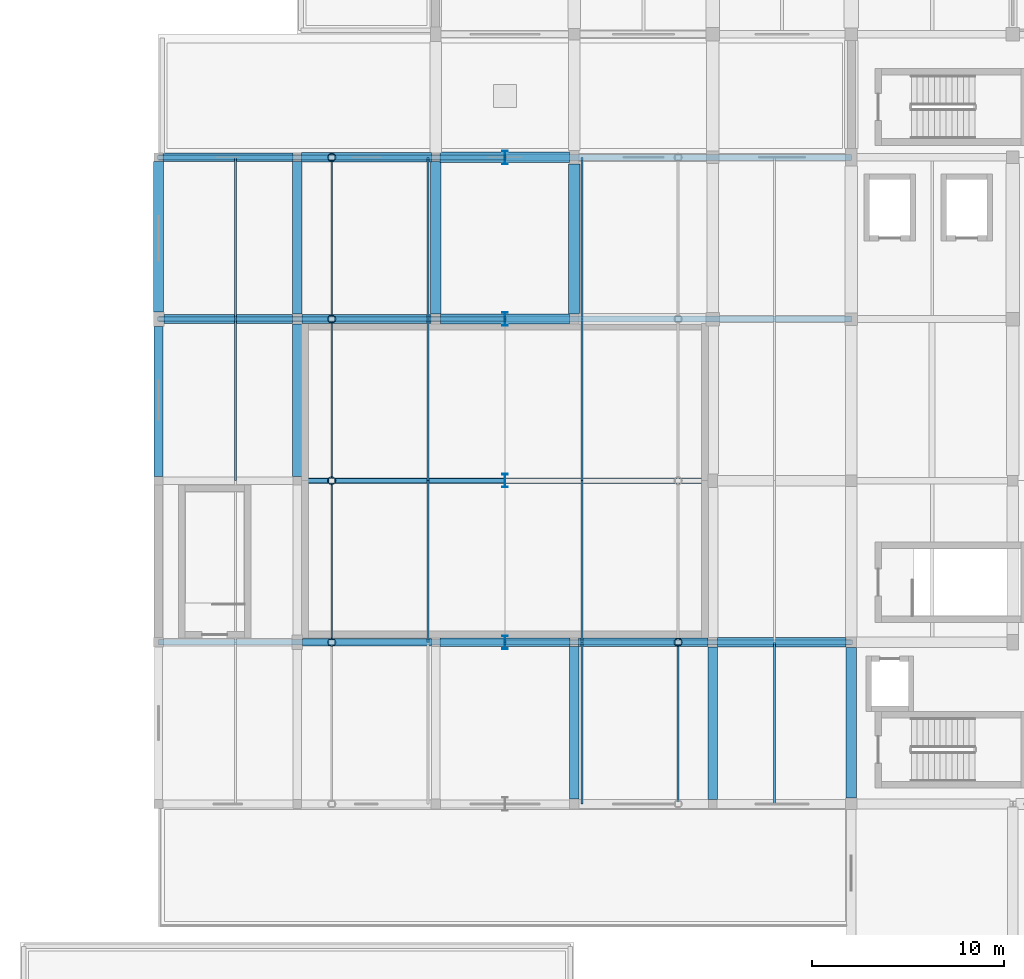
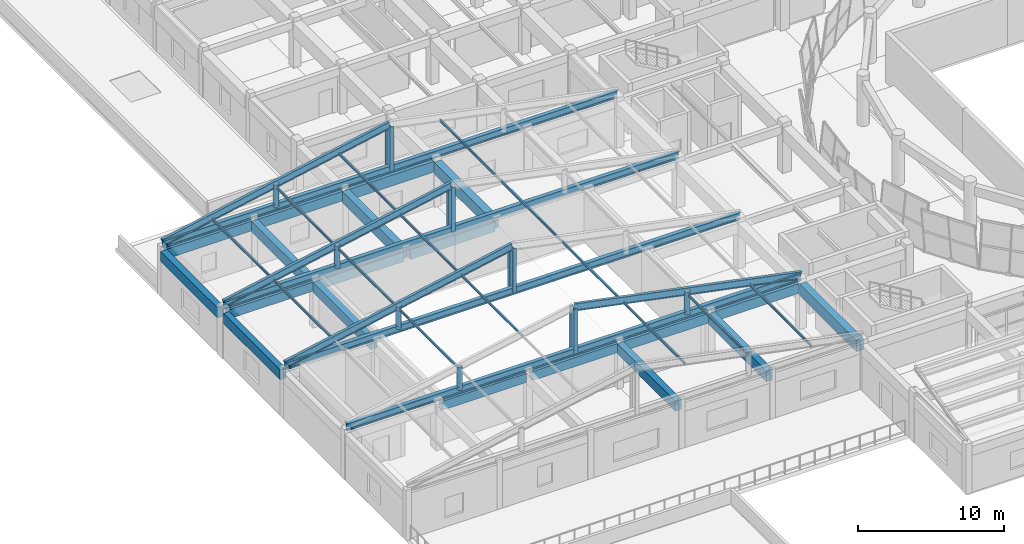
# One storey, part 11 of 74: 31 members, 19 beams.
"""IFC4 building model written with IfcOpenShell, lengths in metres."""

from ifc_helpers import new_model, si_unit, direction, frame, origin, origin_2d, place, context, subcontext, project, spatial, rectangle, hollow_circle, i_section, extrude, material, material_profile, profile_set, type_object, element, save


model = new_model("IFC4")

# Units and contexts
model_context = context("Model", 3, precision=1e-05, world=origin(), true_north=direction((0.0, 1.0)))
body_context = subcontext(model_context, "Body", "Model", "MODEL_VIEW")
ifc_project = project(units=[si_unit("LENGTHUNIT", "METRE"), si_unit("AREAUNIT", "SQUARE_METRE"), si_unit("VOLUMEUNIT", "CUBIC_METRE"), si_unit("PLANEANGLEUNIT", "RADIAN"), si_unit("MASSUNIT", "GRAM", prefix="KILO")], contexts=[model_context])

# Site, building, storey
site_placement = place(None, origin())
site = spatial("IfcSite", under=ifc_project, at=site_placement, CompositionType="ELEMENT")
building_placement = place(site_placement, origin())
building = spatial("IfcBuilding", under=site, at=building_placement, Name="Korsvaeld Concert Hall", CompositionType="ELEMENT")
storey_placement = place(building_placement, frame((0.0, 0.0, 9.0)))
storey = spatial("IfcBuildingStorey", under=building, at=storey_placement, Name="L02", CompositionType="ELEMENT", Elevation=9.0)

# Beams
ifc_material_1 = material(Name="Concrete C35/45", Category="concrete")
ifc_material_profile_1 = material_profile(ifc_material_1, rectangle(XDim=0.39990234375, YDim=0.75, at=origin_2d()), Name="RC 400x750")
ifc_profile_set_1 = profile_set([ifc_material_profile_1], Name="Concrete C35/45")
beam_type_1 = type_object("IfcBeamType", Name="BM-RC-400x750", PredefinedType="T_BEAM", material=ifc_profile_set_1)
beam_1_placement = place(storey_placement, frame((21.875, 51.60009765625, 3.465087890625), z_axis=(1.0, 0.0, 0.0), x_axis=(0.0, 1.0, 0.0)))
element("IfcBeam", 1, at=beam_1_placement, inside=storey, type_object=beam_type_1, Name="Primary girder 4-5/H L02", PredefinedType="T_BEAM", context=body_context, shape_type="SweptSolid", body=[
    extrude(rectangle(XDim=0.39990234375, YDim=0.75, at=origin_2d()), origin(), (0.0, 0.0, 1.0), 6.699951171875),
])
ifc_material_profile_2 = material_profile(ifc_material_1, rectangle(XDim=0.449951171875, YDim=0.75, at=origin_2d()), Name="RC 450x750")
ifc_profile_set_2 = profile_set([ifc_material_profile_2], Name="Concrete C35/45")
beam_type_2 = type_object("IfcBeamType", Name="BM-RC-450x750", PredefinedType="T_BEAM", material=ifc_profile_set_2)
beam_2_placement = place(storey_placement, frame((29.02490234375, 51.60009765625, 3.465087890625), z_axis=(1.0, 0.0, 0.0), x_axis=(0.0, 1.0, 0.0)))
element("IfcBeam", 2, at=beam_2_placement, inside=storey, type_object=beam_type_2, Name="Primary girder 5-6/H L02", PredefinedType="T_BEAM", context=body_context, shape_type="SweptSolid", body=[
    extrude(rectangle(XDim=0.449951171875, YDim=0.75, at=origin_2d()), origin(), (0.0, 0.0, 1.0), 6.75),
])
beam_3_placement = place(storey_placement, frame((14.675048828125, 68.39990234375, 3.465087890625), z_axis=(1.0, 0.0, 0.0), x_axis=(0.0, 1.0, 0.0)))
element("IfcBeam", 3, at=beam_3_placement, inside=storey, type_object=beam_type_2, Name="Primary girder 3-4/K L02", PredefinedType="T_BEAM", context=body_context, shape_type="SweptSolid", body=[
    extrude(rectangle(XDim=0.449951171875, YDim=0.75, at=origin_2d()), origin(), (0.0, 0.0, 1.0), 6.675048828125),
])
ifc_material_profile_3 = material_profile(ifc_material_1, rectangle(XDim=0.449951171875, YDim=0.800048828125, at=origin_2d()), Name="RC 450x800")
ifc_profile_set_3 = profile_set([ifc_material_profile_3], Name="Concrete C35/45")
beam_type_3 = type_object("IfcBeamType", Name="BM-RC-450x800", PredefinedType="T_BEAM", material=ifc_profile_set_3)
beam_4_placement = place(storey_placement, frame((36.22509765625, 51.60009765625, 3.43994140625), z_axis=(1.0, 0.0, 0.0), x_axis=(0.0, 1.0, 0.0)))
element("IfcBeam", 4, at=beam_4_placement, inside=storey, type_object=beam_type_3, Name="Primary girder 6-7/H L02", PredefinedType="T_BEAM", context=body_context, shape_type="SweptSolid", body=[
    extrude(rectangle(XDim=0.449951171875, YDim=0.800048828125, at=origin_2d()), origin(), (0.0, 0.0, 1.0), 6.724853515625),
])
beam_5_placement = place(storey_placement, frame((21.85009765625, 68.39990234375, 3.43994140625), z_axis=(1.0, 0.0, 0.0), x_axis=(0.0, 1.0, 0.0)))
element("IfcBeam", 5, at=beam_5_placement, inside=storey, type_object=beam_type_3, Name="Primary girder 4-5/K L02", PredefinedType="T_BEAM", context=body_context, shape_type="SweptSolid", body=[
    extrude(rectangle(XDim=0.449951171875, YDim=0.800048828125, at=origin_2d()), origin(), (0.0, 0.0, 1.0), 6.699951171875),
])
beam_6_placement = place(storey_placement, frame((14.625, 76.800048828125, 3.43994140625), z_axis=(1.0, 0.0, 0.0), x_axis=(0.0, 1.0, 0.0)))
element("IfcBeam", 6, at=beam_6_placement, inside=storey, type_object=beam_type_3, Name="Primary girder 3-4/L L02", PredefinedType="T_BEAM", context=body_context, shape_type="SweptSolid", body=[
    extrude(rectangle(XDim=0.449951171875, YDim=0.800048828125, at=origin_2d()), origin(), (0.0, 0.0, 1.0), 6.75),
])
ifc_material_2 = material(Name="Concrete C40/50", Category="concrete")
ifc_material_profile_4 = material_profile(ifc_material_2, rectangle(XDim=0.449951171875, YDim=0.85009765625, at=origin_2d()), Name="RC 450x850")
ifc_profile_set_4 = profile_set([ifc_material_profile_4], Name="Concrete C40/50")
beam_type_4 = type_object("IfcBeamType", Name="BM-RC-450x850", PredefinedType="T_BEAM", material=ifc_profile_set_4)
beam_7_placement = place(storey_placement, frame((14.39990234375, 60.22509765625, 3.4150390625), z_axis=(0.0, 1.0, 0.0), x_axis=(-1.0, 0.0, 0.0)))
element("IfcBeam", 7, at=beam_7_placement, inside=storey, type_object=beam_type_4, Name="Primary girder 3/J-K L02", PredefinedType="T_BEAM", context=body_context, shape_type="SweptSolid", body=[
    extrude(rectangle(XDim=0.449951171875, YDim=0.85009765625, at=origin_2d()), origin(), (0.0, 0.0, 1.0), 7.7998046875),
])
ifc_material_profile_5 = material_profile(ifc_material_2, rectangle(XDim=0.5, YDim=0.800048828125, at=origin_2d()), Name="RC 500x800")
ifc_profile_set_5 = profile_set([ifc_material_profile_5], Name="Concrete C40/50")
beam_type_5 = type_object("IfcBeamType", Name="BM-RC-500x800", PredefinedType="T_BEAM", material=ifc_profile_set_5)
beam_8_placement = place(storey_placement, frame((43.449951171875, 51.60009765625, 3.43994140625), z_axis=(1.0, 0.0, 0.0), x_axis=(0.0, 1.0, 0.0)))
element("IfcBeam", 8, at=beam_8_placement, inside=storey, type_object=beam_type_5, Name="Primary girder 7-8/H L02", PredefinedType="T_BEAM", context=body_context, shape_type="SweptSolid", body=[
    extrude(rectangle(XDim=0.5, YDim=0.800048828125, at=origin_2d()), origin(), (0.0, 0.0, 1.0), 6.675048828125),
])
beam_9_placement = place(storey_placement, frame((29.050048828125, 68.39990234375, 3.43994140625), z_axis=(1.0, 0.0, 0.0), x_axis=(0.0, 1.0, 0.0)))
element("IfcBeam", 9, at=beam_9_placement, inside=storey, type_object=beam_type_5, Name="Primary girder 5-6/K L02", PredefinedType="T_BEAM", context=body_context, shape_type="SweptSolid", body=[
    extrude(rectangle(XDim=0.5, YDim=0.800048828125, at=origin_2d()), origin(), (0.0, 0.0, 1.0), 6.699951171875),
])
beam_10_placement = place(storey_placement, frame((21.824951171875, 76.800048828125, 3.43994140625), z_axis=(1.0, 0.0, 0.0), x_axis=(0.0, 1.0, 0.0)))
element("IfcBeam", 10, at=beam_10_placement, inside=storey, type_object=beam_type_5, Name="Primary girder 4-5/L L02", PredefinedType="T_BEAM", context=body_context, shape_type="SweptSolid", body=[
    extrude(rectangle(XDim=0.5, YDim=0.800048828125, at=origin_2d()), origin(), (0.0, 0.0, 1.0), 6.75),
])
ifc_material_profile_6 = material_profile(ifc_material_2, rectangle(XDim=0.5, YDim=0.85009765625, at=origin_2d()), Name="RC 500x850")
ifc_profile_set_6 = profile_set([ifc_material_profile_6], Name="Concrete C40/50")
beam_type_6 = type_object("IfcBeamType", Name="BM-RC-500x850", PredefinedType="T_BEAM", material=ifc_profile_set_6)
beam_11_placement = place(storey_placement, frame((14.39990234375, 68.77490234375, 3.4150390625), z_axis=(0.0, 1.0, 0.0), x_axis=(-1.0, 0.0, 0.0)))
element("IfcBeam", 11, at=beam_11_placement, inside=storey, type_object=beam_type_6, Name="Primary girder 3/K-L L02", PredefinedType="T_BEAM", context=body_context, shape_type="SweptSolid", body=[
    extrude(rectangle(XDim=0.5, YDim=0.85009765625, at=origin_2d()), origin(), (0.0, 0.0, 1.0), 7.800048828125),
])
beam_12_placement = place(storey_placement, frame((21.60009765625, 60.22509765625, 3.4150390625), z_axis=(0.0, 1.0, 0.0), x_axis=(-1.0, 0.0, 0.0)))
element("IfcBeam", 12, at=beam_12_placement, inside=storey, type_object=beam_type_6, Name="Primary girder 4/J-K L02", PredefinedType="T_BEAM", context=body_context, shape_type="SweptSolid", body=[
    extrude(rectangle(XDim=0.5, YDim=0.85009765625, at=origin_2d()), origin(), (0.0, 0.0, 1.0), 7.9248046875),
])
beam_13_placement = place(storey_placement, frame((36.0, 43.449951171875, 3.4150390625), z_axis=(0.0, 1.0, 0.0), x_axis=(-1.0, 0.0, 0.0)))
element("IfcBeam", 13, at=beam_13_placement, inside=storey, type_object=beam_type_6, Name="Primary girder 6/G-H L02", PredefinedType="T_BEAM", context=body_context, shape_type="SweptSolid", body=[
    extrude(rectangle(XDim=0.5, YDim=0.85009765625, at=origin_2d()), origin(), (0.0, 0.0, 1.0), 7.925048828125),
])
ifc_material_profile_7 = material_profile(ifc_material_2, rectangle(XDim=0.5, YDim=0.89990234375, at=origin_2d()), Name="RC 500x900")
ifc_profile_set_7 = profile_set([ifc_material_profile_7], Name="Concrete C40/50")
beam_type_7 = type_object("IfcBeamType", Name="BM-RC-500x900", PredefinedType="T_BEAM", material=ifc_profile_set_7)
for number, where, z_axis, x_axis, name in (
    (14, (21.60009765625, 68.64990234375, 3.389892578125), (0.0, 1.0, 0.0), (-1.0, 0.0, 0.0), "Primary girder 4/K-L L02"),
    (15, (43.199951171875, 43.425048828125, 3.389892578125), (0.0, 1.0, 0.0), (-1.0, 0.0, 0.0), "Primary girder 7/G-H L02"),
):
    element("IfcBeam", number, at=place(storey_placement, frame(where, z_axis=z_axis, x_axis=x_axis)), inside=storey, type_object=beam_type_7, Name=name, PredefinedType="T_BEAM", context=body_context, shape_type="SweptSolid", body=[
        extrude(rectangle(XDim=0.5, YDim=0.89990234375, at=origin_2d()), origin(), (0.0, 0.0, 1.0), 7.925048828125),
    ])
ifc_material_profile_8 = material_profile(ifc_material_2, rectangle(XDim=0.550048828125, YDim=0.89990234375, at=origin_2d()), Name="RC 550x900")
ifc_profile_set_8 = profile_set([ifc_material_profile_8], Name="Concrete C40/50")
beam_type_8 = type_object("IfcBeamType", Name="BM-RC-550x900", PredefinedType="T_BEAM", material=ifc_profile_set_8)
beam_14_placement = place(storey_placement, frame((29.02490234375, 76.800048828125, 3.389892578125), z_axis=(1.0, 0.0, 0.0), x_axis=(0.0, 1.0, 0.0)))
element("IfcBeam", 16, at=beam_14_placement, inside=storey, type_object=beam_type_8, Name="Primary girder 5-6/L L02", PredefinedType="T_BEAM", context=body_context, shape_type="SweptSolid", body=[
    extrude(rectangle(XDim=0.550048828125, YDim=0.89990234375, at=origin_2d()), origin(), (0.0, 0.0, 1.0), 6.72509765625),
])
ifc_material_profile_9 = material_profile(ifc_material_2, rectangle(XDim=0.550048828125, YDim=0.949951171875, at=origin_2d()), Name="RC 550x950")
ifc_profile_set_9 = profile_set([ifc_material_profile_9], Name="Concrete C40/50")
beam_type_9 = type_object("IfcBeamType", Name="BM-RC-550x950", PredefinedType="T_BEAM", material=ifc_profile_set_9)
beam_15_placement = place(storey_placement, frame((28.800048828125, 68.64990234375, 3.364990234375), z_axis=(0.0, 1.0, 0.0), x_axis=(-1.0, 0.0, 0.0)))
element("IfcBeam", 17, at=beam_15_placement, inside=storey, type_object=beam_type_9, Name="Primary girder 5/K-L L02", PredefinedType="T_BEAM", context=body_context, shape_type="SweptSolid", body=[
    extrude(rectangle(XDim=0.550048828125, YDim=0.949951171875, at=origin_2d()), origin(), (0.0, 0.0, 1.0), 7.925048828125),
])
beam_16_placement = place(storey_placement, frame((50.39990234375, 43.5, 3.364990234375), z_axis=(0.0, 1.0, 0.0), x_axis=(-1.0, 0.0, 0.0)))
element("IfcBeam", 18, at=beam_16_placement, inside=storey, type_object=beam_type_9, Name="Primary girder 8/G-H L02", PredefinedType="T_BEAM", context=body_context, shape_type="SweptSolid", body=[
    extrude(rectangle(XDim=0.550048828125, YDim=0.949951171875, at=origin_2d()), origin(), (0.0, 0.0, 1.0), 7.824951171875),
])
ifc_material_profile_10 = material_profile(ifc_material_2, rectangle(XDim=0.60009765625, YDim=0.949951171875, at=origin_2d()), Name="RC 600x950")
ifc_profile_set_10 = profile_set([ifc_material_profile_10], Name="Concrete C40/50")
beam_type_10 = type_object("IfcBeamType", Name="BM-RC-600x950", PredefinedType="T_BEAM", material=ifc_profile_set_10)
beam_17_placement = place(storey_placement, frame((36.0, 68.64990234375, 3.364990234375), z_axis=(0.0, 1.0, 0.0), x_axis=(-1.0, 0.0, 0.0)))
element("IfcBeam", 19, at=beam_17_placement, inside=storey, type_object=beam_type_10, Name="Primary girder 6/K-L L02", PredefinedType="T_BEAM", context=body_context, shape_type="SweptSolid", body=[
    extrude(rectangle(XDim=0.60009765625, YDim=0.949951171875, at=origin_2d()), origin(), (0.0, 0.0, 1.0), 7.800048828125),
])

# Members
ifc_material_3 = material(Name="Steel S355J2", Category="steel")
ifc_material_profile_11 = material_profile(ifc_material_3, i_section(OverallWidth=0.300048828125, OverallDepth=0.60009765625, WebThickness=0.015380859375, FlangeThickness=0.030029296875, FilletRadius=0.027099609375, at=origin_2d()), Name="HEB 600")
ifc_profile_set_11 = profile_set([ifc_material_profile_11], Name="Steel S355J2")
member_type_1 = type_object("IfcMemberType", Name="MEM-CHD-HEB600", PredefinedType="CHORD", material=ifc_profile_set_11)
for number, where, z_axis, x_axis, name in (
    (20, (14.39990234375, 51.60009765625, 4.25), (1.0, 0.0, 0.0), (0.0, 1.0, 0.0), "Orchestra Rehearsal clear-span truss bottom chord 2"),
    (21, (14.39990234375, 60.0, 4.25), (1.0, 0.0, 0.0), (0.0, 1.0, 0.0), "Orchestra Rehearsal clear-span truss bottom chord 3"),
    (22, (14.39990234375, 68.39990234375, 4.25), (1.0, 0.0, 0.0), (0.0, 1.0, 0.0), "Orchestra Rehearsal clear-span truss bottom chord 4"),
    (23, (14.39990234375, 76.800048828125, 4.25), (1.0, 0.0, 0.0), (0.0, 1.0, 0.0), "Orchestra Rehearsal clear-span truss bottom chord 5"),
):
    element("IfcMember", number, at=place(storey_placement, frame(where, z_axis=z_axis, x_axis=x_axis)), inside=storey, type_object=member_type_1, Name=name, PredefinedType="CHORD", context=body_context, shape_type="SweptSolid", body=[
        extrude(i_section(OverallWidth=0.300048828125, OverallDepth=0.60009765625, WebThickness=0.015380859375, FlangeThickness=0.030029296875, FilletRadius=0.027099609375, at=origin_2d()), origin(), (0.0, 0.0, 1.0), 36.0),
    ])
ifc_material_profile_12 = material_profile(ifc_material_3, i_section(OverallWidth=0.300048828125, OverallDepth=0.699951171875, WebThickness=0.01708984375, FlangeThickness=0.031982421875, FilletRadius=0.027099609375, at=origin_2d()), Name="HEB 700")
ifc_profile_set_12 = profile_set([ifc_material_profile_12], Name="Steel S355J2")
member_type_2 = type_object("IfcMemberType", Name="MEM-CHD-HEB700", PredefinedType="CHORD", material=ifc_profile_set_12)
for number, where, z_axis, x_axis, name in (
    (24, (32.39990234375, 51.60009765625, 4.25), (0.0, 0.0, 1.0), (1.0, 0.0, 0.0), "Orchestra Rehearsal truss web 2.32"),
    (25, (32.39990234375, 60.0, 4.25), (0.0, 0.0, 1.0), (1.0, 0.0, 0.0), "Orchestra Rehearsal truss web 3.32"),
    (26, (32.39990234375, 68.39990234375, 4.25), (0.0, 0.0, 1.0), (1.0, 0.0, 0.0), "Orchestra Rehearsal truss web 4.32"),
    (27, (32.39990234375, 76.800048828125, 4.25), (0.0, 0.0, 1.0), (1.0, 0.0, 0.0), "Orchestra Rehearsal truss web 5.32"),
):
    element("IfcMember", number, at=place(storey_placement, frame(where, z_axis=z_axis, x_axis=x_axis)), inside=storey, type_object=member_type_2, Name=name, PredefinedType="CHORD", context=body_context, shape_type="SweptSolid", body=[
        extrude(i_section(OverallWidth=0.300048828125, OverallDepth=0.699951171875, WebThickness=0.01708984375, FlangeThickness=0.031982421875, FilletRadius=0.027099609375, at=origin_2d()), origin(), (0.0, 0.0, 1.0), 3.699951171875),
    ])
ifc_material_profile_13 = material_profile(ifc_material_3, i_section(OverallWidth=0.10009765625, OverallDepth=0.199951171875, WebThickness=0.005615234375, FlangeThickness=0.008544921875, FilletRadius=0.011962890625, at=origin_2d()), Name="IPE 200")
ifc_profile_set_13 = profile_set([ifc_material_profile_13], Name="Steel S355J2")
member_type_3 = type_object("IfcMemberType", Name="MEM-PUR-IPE200", PredefinedType="PURLIN", material=ifc_profile_set_13)
member_1_placement = place(storey_placement, frame((18.39990234375, 60.0, 4.89990234375), z_axis=(0.0, 1.0, 0.0), x_axis=(-1.0, 0.0, 0.0)))
element("IfcMember", 28, at=member_1_placement, inside=storey, type_object=member_type_3, Name="Orchestra Rehearsal roof purlin 18.3", PredefinedType="PURLIN", context=body_context, shape_type="SweptSolid", body=[
    extrude(i_section(OverallWidth=0.10009765625, OverallDepth=0.199951171875, WebThickness=0.005615234375, FlangeThickness=0.008544921875, FilletRadius=0.011962890625, at=origin_2d()), origin(), (0.0, 0.0, 1.0), 8.39990234375),
])
member_2_placement = place(storey_placement, frame((18.39990234375, 68.39990234375, 4.89990234375), z_axis=(0.0, 1.0, 0.0), x_axis=(-1.0, 0.0, 0.0)))
element("IfcMember", 29, at=member_2_placement, inside=storey, type_object=member_type_3, Name="Orchestra Rehearsal roof purlin 18.4", PredefinedType="PURLIN", context=body_context, shape_type="SweptSolid", body=[
    extrude(i_section(OverallWidth=0.10009765625, OverallDepth=0.199951171875, WebThickness=0.005615234375, FlangeThickness=0.008544921875, FilletRadius=0.011962890625, at=origin_2d()), origin(), (0.0, 0.0, 1.0), 8.400146484375),
])
for number, where, z_axis, x_axis, name in (
    (30, (23.39990234375, 51.60009765625, 5.89990234375), (0.0, 1.0, 0.0), (-1.0, 0.0, 0.0), "Orchestra Rehearsal roof purlin 23.2"),
    (31, (23.39990234375, 60.0, 5.89990234375), (0.0, 1.0, 0.0), (-1.0, 0.0, 0.0), "Orchestra Rehearsal roof purlin 23.3"),
):
    element("IfcMember", number, at=place(storey_placement, frame(where, z_axis=z_axis, x_axis=x_axis)), inside=storey, type_object=member_type_3, Name=name, PredefinedType="PURLIN", context=body_context, shape_type="SweptSolid", body=[
        extrude(i_section(OverallWidth=0.10009765625, OverallDepth=0.199951171875, WebThickness=0.005615234375, FlangeThickness=0.008544921875, FilletRadius=0.011962890625, at=origin_2d()), origin(), (0.0, 0.0, 1.0), 8.39990234375),
    ])
member_3_placement = place(storey_placement, frame((23.39990234375, 68.39990234375, 5.89990234375), z_axis=(0.0, 1.0, 0.0), x_axis=(-1.0, 0.0, 0.0)))
element("IfcMember", 32, at=member_3_placement, inside=storey, type_object=member_type_3, Name="Orchestra Rehearsal roof purlin 23.4", PredefinedType="PURLIN", context=body_context, shape_type="SweptSolid", body=[
    extrude(i_section(OverallWidth=0.10009765625, OverallDepth=0.199951171875, WebThickness=0.005615234375, FlangeThickness=0.008544921875, FilletRadius=0.011962890625, at=origin_2d()), origin(), (0.0, 0.0, 1.0), 8.400146484375),
])
for number, where, z_axis, x_axis, name in (
    (33, (28.39990234375, 51.60009765625, 6.89990234375), (0.0, 1.0, 0.0), (-1.0, 0.0, 0.0), "Orchestra Rehearsal roof purlin 28.2"),
    (34, (28.39990234375, 60.0, 6.89990234375), (0.0, 1.0, 0.0), (-1.0, 0.0, 0.0), "Orchestra Rehearsal roof purlin 28.3"),
):
    element("IfcMember", number, at=place(storey_placement, frame(where, z_axis=z_axis, x_axis=x_axis)), inside=storey, type_object=member_type_3, Name=name, PredefinedType="PURLIN", context=body_context, shape_type="SweptSolid", body=[
        extrude(i_section(OverallWidth=0.10009765625, OverallDepth=0.199951171875, WebThickness=0.005615234375, FlangeThickness=0.008544921875, FilletRadius=0.011962890625, at=origin_2d()), origin(), (0.0, 0.0, 1.0), 8.39990234375),
    ])
for number, where, z_axis, x_axis, name in (
    (35, (28.39990234375, 68.39990234375, 6.89990234375), (0.0, 1.0, 0.0), (-1.0, 0.0, 0.0), "Orchestra Rehearsal roof purlin 28.4"),
    (36, (36.39990234375, 43.199951171875, 6.89990234375), (0.0, 1.0, 0.0), (-1.0, 0.0, 0.0), "Orchestra Rehearsal roof purlin 36.1"),
):
    element("IfcMember", number, at=place(storey_placement, frame(where, z_axis=z_axis, x_axis=x_axis)), inside=storey, type_object=member_type_3, Name=name, PredefinedType="PURLIN", context=body_context, shape_type="SweptSolid", body=[
        extrude(i_section(OverallWidth=0.10009765625, OverallDepth=0.199951171875, WebThickness=0.005615234375, FlangeThickness=0.008544921875, FilletRadius=0.011962890625, at=origin_2d()), origin(), (0.0, 0.0, 1.0), 8.400146484375),
    ])
for number, where, z_axis, x_axis, name in (
    (37, (36.39990234375, 51.60009765625, 6.89990234375), (0.0, 1.0, 0.0), (-1.0, 0.0, 0.0), "Orchestra Rehearsal roof purlin 36.2"),
    (38, (36.39990234375, 60.0, 6.89990234375), (0.0, 1.0, 0.0), (-1.0, 0.0, 0.0), "Orchestra Rehearsal roof purlin 36.3"),
):
    element("IfcMember", number, at=place(storey_placement, frame(where, z_axis=z_axis, x_axis=x_axis)), inside=storey, type_object=member_type_3, Name=name, PredefinedType="PURLIN", context=body_context, shape_type="SweptSolid", body=[
        extrude(i_section(OverallWidth=0.10009765625, OverallDepth=0.199951171875, WebThickness=0.005615234375, FlangeThickness=0.008544921875, FilletRadius=0.011962890625, at=origin_2d()), origin(), (0.0, 0.0, 1.0), 8.39990234375),
    ])
for number, where, z_axis, x_axis, name in (
    (39, (36.39990234375, 68.39990234375, 6.89990234375), (0.0, 1.0, 0.0), (-1.0, 0.0, 0.0), "Orchestra Rehearsal roof purlin 36.4"),
    (40, (41.39990234375, 43.199951171875, 5.89990234375), (0.0, 1.0, 0.0), (-1.0, 0.0, 0.0), "Orchestra Rehearsal roof purlin 41.1"),
    (41, (46.39990234375, 43.199951171875, 4.89990234375), (0.0, 1.0, 0.0), (-1.0, 0.0, 0.0), "Orchestra Rehearsal roof purlin 46.1"),
):
    element("IfcMember", number, at=place(storey_placement, frame(where, z_axis=z_axis, x_axis=x_axis)), inside=storey, type_object=member_type_3, Name=name, PredefinedType="PURLIN", context=body_context, shape_type="SweptSolid", body=[
        extrude(i_section(OverallWidth=0.10009765625, OverallDepth=0.199951171875, WebThickness=0.005615234375, FlangeThickness=0.008544921875, FilletRadius=0.011962890625, at=origin_2d()), origin(), (0.0, 0.0, 1.0), 8.400146484375),
    ])
ifc_material_profile_14 = material_profile(ifc_material_3, i_section(OverallWidth=0.219970703125, OverallDepth=0.60009765625, WebThickness=0.011962890625, FlangeThickness=0.01904296875, FilletRadius=0.02392578125, at=origin_2d()), Name="IPE 600")
ifc_profile_set_14 = profile_set([ifc_material_profile_14], Name="Steel S355J2")
member_type_4 = type_object("IfcMemberType", Name="MEM-RAF-IPE600", PredefinedType="RAFTER", material=ifc_profile_set_14)
for number, where, z_axis, x_axis, name in (
    (42, (50.39990234375, 51.60009765625, 4.35009765625), (-0.980582210276, 0.0, 0.196108462057), (0.0, -1.0, 0.0), "Orchestra Rehearsal east rafter 2"),
    (43, (14.39990234375, 60.0, 4.35009765625), (0.980582210276, 0.0, 0.196108462057), (0.0, 1.0, 0.0), "Orchestra Rehearsal west rafter 3"),
    (44, (14.39990234375, 68.39990234375, 4.35009765625), (0.980582210276, 0.0, 0.196108462057), (0.0, 1.0, 0.0), "Orchestra Rehearsal west rafter 4"),
    (45, (14.39990234375, 76.800048828125, 4.35009765625), (0.980582210276, 0.0, 0.196108462057), (0.0, 1.0, 0.0), "Orchestra Rehearsal west rafter 5"),
):
    element("IfcMember", number, at=place(storey_placement, frame(where, z_axis=z_axis, x_axis=x_axis)), inside=storey, type_object=member_type_4, Name=name, PredefinedType="RAFTER", context=body_context, shape_type="SweptSolid", body=[
        extrude(i_section(OverallWidth=0.219970703125, OverallDepth=0.60009765625, WebThickness=0.011962890625, FlangeThickness=0.01904296875, FilletRadius=0.02392578125, at=origin_2d()), origin(), (0.0, 0.0, 1.0), 18.3564453125),
    ])
ifc_material_profile_15 = material_profile(ifc_material_3, hollow_circle(Radius=0.203125, WallThickness=0.01611328125, at=origin_2d()), Name="CHS 406.4x16")
ifc_profile_set_15 = profile_set([ifc_material_profile_15], Name="Steel S355J2")
member_type_5 = type_object("IfcMemberType", Name="MEM-STR-CHS406", PredefinedType="STRUT", material=ifc_profile_set_15)
for number, where, z_axis, x_axis, name in (
    (46, (23.39990234375, 51.60009765625, 4.25), (0.0, 0.0, 1.0), (1.0, 0.0, 0.0), "Orchestra Rehearsal truss web 2.23"),
    (47, (41.39990234375, 51.60009765625, 4.25), (0.0, 0.0, 1.0), (1.0, 0.0, 0.0), "Orchestra Rehearsal truss web 2.41"),
    (48, (23.39990234375, 60.0, 4.25), (0.0, 0.0, 1.0), (1.0, 0.0, 0.0), "Orchestra Rehearsal truss web 3.23"),
    (49, (23.39990234375, 68.39990234375, 4.25), (0.0, 0.0, 1.0), (1.0, 0.0, 0.0), "Orchestra Rehearsal truss web 4.23"),
    (50, (23.39990234375, 76.800048828125, 4.25), (0.0, 0.0, 1.0), (1.0, 0.0, 0.0), "Orchestra Rehearsal truss web 5.23"),
):
    element("IfcMember", number, at=place(storey_placement, frame(where, z_axis=z_axis, x_axis=x_axis)), inside=storey, type_object=member_type_5, Name=name, PredefinedType="STRUT", context=body_context, shape_type="SweptSolid", body=[
        extrude(hollow_circle(Radius=0.203125, WallThickness=0.01611328125, at=origin_2d()), origin(), (0.0, 0.0, 1.0), 1.89990234375),
    ])

save(model, "model.ifc")
